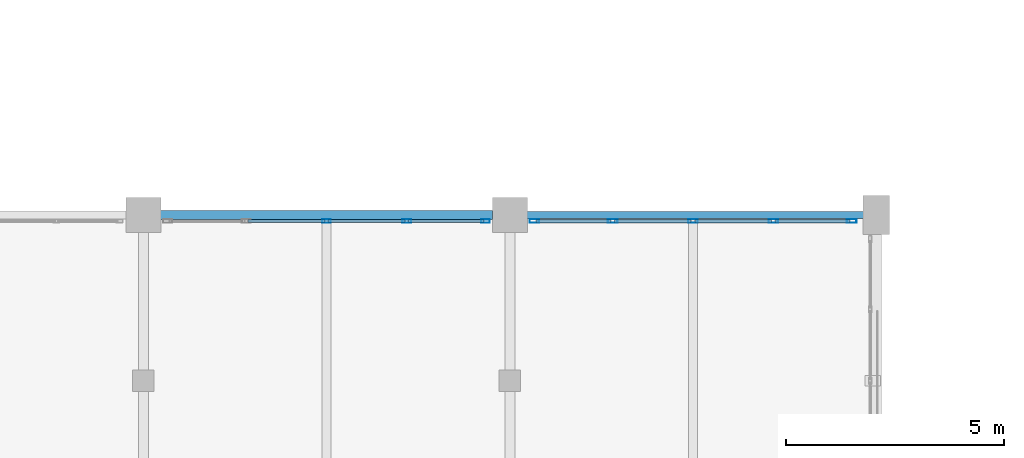
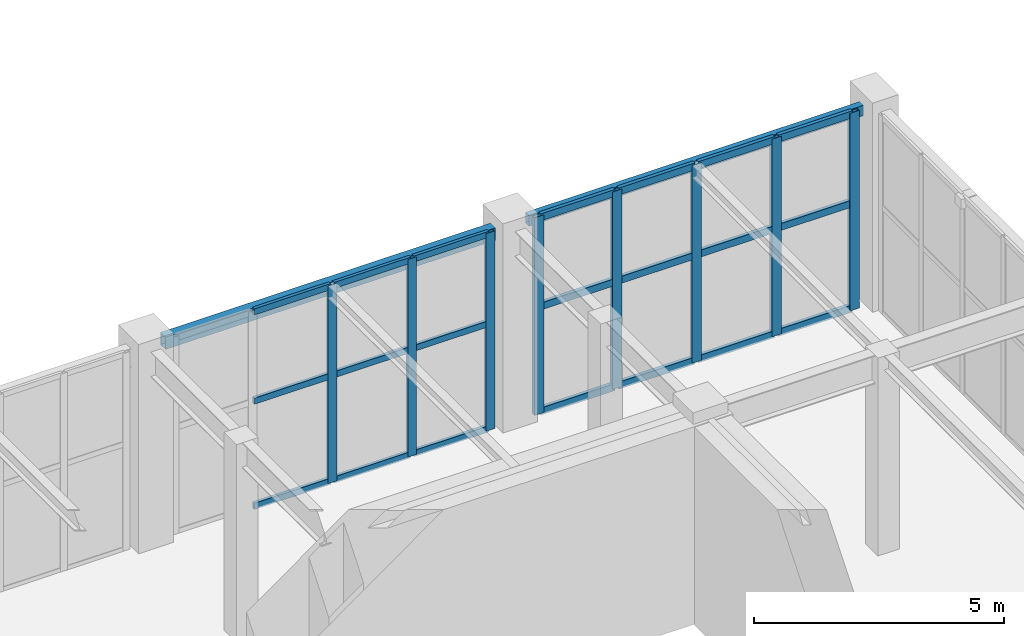
# One storey, part 68 of 128: 29 members, 2 beams, 2 elements without a shape of their own.
"""IFC4 building model written with IfcOpenShell, lengths in metres."""

from ifc_helpers import new_model, si_unit, direction, frame, origin, origin_2d, place, context, subcontext, project, spatial, hollow_rectangle, extrude, material, layer, layer_set, material_profile, profile_set, type_object, element, aggregate, save


model = new_model("IFC4")

# Units and contexts
model_context = context("Model", 3, precision=1e-05, world=origin(), true_north=direction((0.0, 1.0)))
body_context = subcontext(model_context, "Body", "Model", "MODEL_VIEW")
ifc_project = project(units=[si_unit("LENGTHUNIT", "METRE"), si_unit("AREAUNIT", "SQUARE_METRE"), si_unit("VOLUMEUNIT", "CUBIC_METRE"), si_unit("PLANEANGLEUNIT", "RADIAN"), si_unit("MASSUNIT", "GRAM", prefix="KILO")], contexts=[model_context])

# Site, building, storey
site_placement = place(None, origin())
site = spatial("IfcSite", under=ifc_project, at=site_placement, CompositionType="ELEMENT")
building_placement = place(site_placement, origin())
building = spatial("IfcBuilding", under=site, at=building_placement, Name="Xicomal Pleat Aquarium", CompositionType="ELEMENT")
storey_placement = place(building_placement, frame((0.0, 0.0, 5.39990234375)))
storey = spatial("IfcBuildingStorey", under=building, at=storey_placement, Name="L02", CompositionType="ELEMENT", Elevation=5.39990234375)

# Beams
ifc_material_1 = material(Name="Structural steel A500 Gr C", Category="steel")
ifc_material_profile_1 = material_profile(ifc_material_1, hollow_rectangle(XDim=0.14990234375, YDim=0.25, WallThickness=0.010009765625, at=origin_2d()), Name="OR 250x150x10")
ifc_profile_set_1 = profile_set([ifc_material_profile_1], Name="Structural steel A500 Gr C")
beam_type_1 = type_object("IfcBeamType", Name="BM-STL-OR250", PredefinedType="SPANDREL", material=ifc_profile_set_1)
beam_1_placement = place(storey_placement, frame((86.195068359375, 83.60009765625, 4.695068359375), z_axis=(1.0, 0.0, 0.0), x_axis=(0.0, 1.0, 0.0)))
element("IfcBeam", 1, at=beam_1_placement, inside=storey, type_object=beam_type_1, Name="L02 framing beam FGX-L02-11-12-M", PredefinedType="SPANDREL", context=body_context, shape_type="SweptSolid", body=[
    extrude(hollow_rectangle(XDim=0.14990234375, YDim=0.25, WallThickness=0.010009765625, at=origin_2d()), origin(), (0.0, 0.0, 1.0), 7.7099609375),
])
ifc_material_2 = material(Name="Structural steel A500 Gr C", Category="steel")
ifc_material_profile_2 = material_profile(ifc_material_2, hollow_rectangle(XDim=0.199951171875, YDim=0.300048828125, WallThickness=0.011962890625, at=origin_2d()), Name="OR 300x200x12")
ifc_profile_set_2 = profile_set([ifc_material_profile_2], Name="Structural steel A500 Gr C")
beam_type_2 = type_object("IfcBeamType", Name="BM-STL-OR300", PredefinedType="SPANDREL", material=ifc_profile_set_2)
beam_2_placement = place(storey_placement, frame((77.794921875, 83.60009765625, 4.670166015625), z_axis=(1.0, 0.0, 0.0), x_axis=(0.0, 1.0, 0.0)))
element("IfcBeam", 2, at=beam_2_placement, inside=storey, type_object=beam_type_2, Name="L02 framing beam FGX-L02-10-11-M", PredefinedType="SPANDREL", context=body_context, shape_type="SweptSolid", body=[
    extrude(hollow_rectangle(XDim=0.199951171875, YDim=0.300048828125, WallThickness=0.011962890625, at=origin_2d()), origin(), (0.0, 0.0, 1.0), 7.610107421875),
])

# Curtain wall, members
ifc_material_3 = material(Name="Bronze anodized aluminium 6063-T6", Category="aluminium")
ifc_layer_1 = layer(ifc_material_3, 0.159912109375)
ifc_layer_set_1 = layer_set([ifc_layer_1], Name="Bronze anodized aluminium 6063-T6")
curtain_wall_type_1 = type_object("IfcCurtainWallType", Name="CW-SYS-07", PredefinedType="NOTDEFINED", material=ifc_layer_set_1)
curtain_wall_1_placement = place(storey_placement, origin())
curtain_wall_1 = element("IfcCurtainWall", 3, at=curtain_wall_1_placement, inside=storey, type_object=curtain_wall_type_1, Name="L02 unitised curtain wall CW-L02-106", PredefinedType="NOTDEFINED")
ifc_material_4 = material(Name="Bronze anodized aluminium 6063-T6", Category="aluminium")
ifc_material_profile_3 = material_profile(ifc_material_4, hollow_rectangle(XDim=0.074951171875, YDim=0.199951171875, WallThickness=0.00439453125, at=origin_2d()), Name="ALU MULL 75x200")
ifc_profile_set_3 = profile_set([ifc_material_profile_3], Name="Bronze anodized aluminium 6063-T6")
member_type_1 = type_object("IfcMemberType", Name="CWM-75x200", PredefinedType="MULLION", material=ifc_profile_set_3)
member_1_placement = place(storey_placement, frame((81.60009765625, 83.4599609375, 0.0), z_axis=(0.0, 0.0, 1.0), x_axis=(0.0, 1.0, 0.0)))
member_1 = element("IfcMember", 4, at=member_1_placement, type_object=member_type_1, Name="CW-07 mullion 3", PredefinedType="MULLION", context=body_context, shape_type="SweptSolid", body=[
    extrude(hollow_rectangle(XDim=0.074951171875, YDim=0.199951171875, WallThickness=0.00439453125, at=origin_2d()), origin(), (0.0, 0.0, 1.0), 4.820068359375),
])
member_2_placement = place(storey_placement, frame((83.43994140625, 83.4599609375, 0.0), z_axis=(0.0, 0.0, 1.0), x_axis=(0.0, 1.0, 0.0)))
member_2 = element("IfcMember", 5, at=member_2_placement, type_object=member_type_1, Name="CW-07 mullion 4", PredefinedType="MULLION", context=body_context, shape_type="SweptSolid", body=[
    extrude(hollow_rectangle(XDim=0.074951171875, YDim=0.199951171875, WallThickness=0.00439453125, at=origin_2d()), origin(), (0.0, 0.0, 1.0), 4.820068359375),
])
member_3_placement = place(storey_placement, frame((85.242431640625, 83.4599609375, 0.0), z_axis=(0.0, 0.0, 1.0), x_axis=(0.0, 1.0, 0.0)))
member_3 = element("IfcMember", 6, at=member_3_placement, type_object=member_type_1, Name="CW-07 mullion 5", PredefinedType="MULLION", context=body_context, shape_type="SweptSolid", body=[
    extrude(hollow_rectangle(XDim=0.074951171875, YDim=0.199951171875, WallThickness=0.00439453125, at=origin_2d()), origin(), (0.0, 0.0, 1.0), 4.820068359375),
])

ifc_material_5 = material(Name="Bronze anodized aluminium 6063-T6", Category="aluminium")
ifc_layer_2 = layer(ifc_material_5, 0.159912109375)
ifc_layer_set_2 = layer_set([ifc_layer_2], Name="Bronze anodized aluminium 6063-T6")
curtain_wall_type_2 = type_object("IfcCurtainWallType", Name="CW-SYS-12", PredefinedType="NOTDEFINED", material=ifc_layer_set_2)
curtain_wall_2_placement = place(storey_placement, origin())
curtain_wall_2 = element("IfcCurtainWall", 7, at=curtain_wall_2_placement, inside=storey, type_object=curtain_wall_type_2, Name="L02 unitised curtain wall CW-L02-107", PredefinedType="NOTDEFINED")
ifc_material_6 = material(Name="Bronze anodized aluminium 6063-T6", Category="aluminium")
ifc_material_profile_4 = material_profile(ifc_material_6, hollow_rectangle(XDim=0.0849609375, YDim=0.219970703125, WallThickness=0.0048828125, at=origin_2d()), Name="ALU MULL 85x220")
ifc_profile_set_4 = profile_set([ifc_material_profile_4], Name="Bronze anodized aluminium 6063-T6")
member_type_2 = type_object("IfcMemberType", Name="CWM-85x220", PredefinedType="MULLION", material=ifc_profile_set_4)
member_4_placement = place(storey_placement, frame((86.362548828125, 83.4599609375, 0.0), z_axis=(0.0, 0.0, 1.0), x_axis=(0.0, 1.0, 0.0)))
member_4 = element("IfcMember", 8, at=member_4_placement, type_object=member_type_2, Name="CW-12 mullion 1", PredefinedType="MULLION", context=body_context, shape_type="SweptSolid", body=[
    extrude(hollow_rectangle(XDim=0.0849609375, YDim=0.219970703125, WallThickness=0.0048828125, at=origin_2d()), origin(), (0.0, 0.0, 1.0), 4.820068359375),
])
member_5_placement = place(storey_placement, frame((88.159912109375, 83.4599609375, 0.0), z_axis=(0.0, 0.0, 1.0), x_axis=(0.0, 1.0, 0.0)))
member_5 = element("IfcMember", 9, at=member_5_placement, type_object=member_type_2, Name="CW-12 mullion 2", PredefinedType="MULLION", context=body_context, shape_type="SweptSolid", body=[
    extrude(hollow_rectangle(XDim=0.0849609375, YDim=0.219970703125, WallThickness=0.0048828125, at=origin_2d()), origin(), (0.0, 0.0, 1.0), 4.820068359375),
])
member_6_placement = place(storey_placement, frame((90.0, 83.4599609375, 0.0), z_axis=(0.0, 0.0, 1.0), x_axis=(0.0, 1.0, 0.0)))
member_6 = element("IfcMember", 10, at=member_6_placement, type_object=member_type_2, Name="CW-12 mullion 3", PredefinedType="MULLION", context=body_context, shape_type="SweptSolid", body=[
    extrude(hollow_rectangle(XDim=0.0849609375, YDim=0.219970703125, WallThickness=0.0048828125, at=origin_2d()), origin(), (0.0, 0.0, 1.0), 4.820068359375),
])
member_7_placement = place(storey_placement, frame((91.840087890625, 83.4599609375, 0.0), z_axis=(0.0, 0.0, 1.0), x_axis=(0.0, 1.0, 0.0)))
member_7 = element("IfcMember", 11, at=member_7_placement, type_object=member_type_2, Name="CW-12 mullion 4", PredefinedType="MULLION", context=body_context, shape_type="SweptSolid", body=[
    extrude(hollow_rectangle(XDim=0.0849609375, YDim=0.219970703125, WallThickness=0.0048828125, at=origin_2d()), origin(), (0.0, 0.0, 1.0), 4.820068359375),
])
member_8_placement = place(storey_placement, frame((93.637451171875, 83.4599609375, 0.0), z_axis=(0.0, 0.0, 1.0), x_axis=(0.0, 1.0, 0.0)))
member_8 = element("IfcMember", 12, at=member_8_placement, type_object=member_type_2, Name="CW-12 mullion 5", PredefinedType="MULLION", context=body_context, shape_type="SweptSolid", body=[
    extrude(hollow_rectangle(XDim=0.0849609375, YDim=0.219970703125, WallThickness=0.0048828125, at=origin_2d()), origin(), (0.0, 0.0, 1.0), 4.820068359375),
])

# Member
ifc_material_7 = material(Name="Bronze anodized aluminium 6063-T6", Category="aluminium")
ifc_material_profile_5 = material_profile(ifc_material_7, hollow_rectangle(XDim=0.074951171875, YDim=0.14990234375, WallThickness=0.00439453125, at=origin_2d()), Name="ALU TRAN 75x150")
ifc_profile_set_5 = profile_set([ifc_material_profile_5], Name="Bronze anodized aluminium 6063-T6")
member_type_3 = type_object("IfcMemberType", Name="CWT-75x150", PredefinedType="USERDEFINED", material=ifc_profile_set_5)
member_9_placement = place(storey_placement, frame((79.797607421875, 83.4599609375, 0.03759765625), z_axis=(1.0, 0.0, 0.0), x_axis=(0.0, 1.0, 0.0)))
member_9 = element("IfcMember", 13, at=member_9_placement, type_object=member_type_3, Name="CW-07 transom 2.1", ObjectType="TRANSOM", PredefinedType="USERDEFINED", context=body_context, shape_type="SweptSolid", body=[
    extrude(hollow_rectangle(XDim=0.074951171875, YDim=0.14990234375, WallThickness=0.00439453125, at=origin_2d()), origin(), (0.0, 0.0, 1.0), 1.764892578125),
])

member_10_placement = place(storey_placement, frame((79.797607421875, 83.4599609375, 2.60302734375), z_axis=(1.0, 0.0, 0.0), x_axis=(0.0, 1.0, 0.0)))
member_10 = element("IfcMember", 14, at=member_10_placement, type_object=member_type_3, Name="CW-07 transom 2.2", ObjectType="TRANSOM", PredefinedType="USERDEFINED", context=body_context, shape_type="SweptSolid", body=[
    extrude(hollow_rectangle(XDim=0.074951171875, YDim=0.14990234375, WallThickness=0.00439453125, at=origin_2d()), origin(), (0.0, 0.0, 1.0), 1.764892578125),
])

member_11_placement = place(storey_placement, frame((79.797607421875, 83.4599609375, 4.78271484375), z_axis=(1.0, 0.0, 0.0), x_axis=(0.0, 1.0, 0.0)))
member_11 = element("IfcMember", 15, at=member_11_placement, type_object=member_type_3, Name="CW-07 transom 2.3", ObjectType="TRANSOM", PredefinedType="USERDEFINED", context=body_context, shape_type="SweptSolid", body=[
    extrude(hollow_rectangle(XDim=0.074951171875, YDim=0.14990234375, WallThickness=0.00439453125, at=origin_2d()), origin(), (0.0, 0.0, 1.0), 1.764892578125),
])

member_12_placement = place(storey_placement, frame((81.637451171875, 83.4599609375, 0.03759765625), z_axis=(1.0, 0.0, 0.0), x_axis=(0.0, 1.0, 0.0)))
member_12 = element("IfcMember", 16, at=member_12_placement, type_object=member_type_3, Name="CW-07 transom 3.1", ObjectType="TRANSOM", PredefinedType="USERDEFINED", context=body_context, shape_type="SweptSolid", body=[
    extrude(hollow_rectangle(XDim=0.074951171875, YDim=0.14990234375, WallThickness=0.00439453125, at=origin_2d()), origin(), (0.0, 0.0, 1.0), 1.76513671875),
])

member_13_placement = place(storey_placement, frame((81.637451171875, 83.4599609375, 2.60302734375), z_axis=(1.0, 0.0, 0.0), x_axis=(0.0, 1.0, 0.0)))
member_13 = element("IfcMember", 17, at=member_13_placement, type_object=member_type_3, Name="CW-07 transom 3.2", ObjectType="TRANSOM", PredefinedType="USERDEFINED", context=body_context, shape_type="SweptSolid", body=[
    extrude(hollow_rectangle(XDim=0.074951171875, YDim=0.14990234375, WallThickness=0.00439453125, at=origin_2d()), origin(), (0.0, 0.0, 1.0), 1.76513671875),
])

member_14_placement = place(storey_placement, frame((81.637451171875, 83.4599609375, 4.78271484375), z_axis=(1.0, 0.0, 0.0), x_axis=(0.0, 1.0, 0.0)))
member_14 = element("IfcMember", 18, at=member_14_placement, type_object=member_type_3, Name="CW-07 transom 3.3", ObjectType="TRANSOM", PredefinedType="USERDEFINED", context=body_context, shape_type="SweptSolid", body=[
    extrude(hollow_rectangle(XDim=0.074951171875, YDim=0.14990234375, WallThickness=0.00439453125, at=origin_2d()), origin(), (0.0, 0.0, 1.0), 1.76513671875),
])

member_15_placement = place(storey_placement, frame((83.4775390625, 83.4599609375, 0.03759765625), z_axis=(1.0, 0.0, 0.0), x_axis=(0.0, 1.0, 0.0)))
member_15 = element("IfcMember", 19, at=member_15_placement, type_object=member_type_3, Name="CW-07 transom 4.1", ObjectType="TRANSOM", PredefinedType="USERDEFINED", context=body_context, shape_type="SweptSolid", body=[
    extrude(hollow_rectangle(XDim=0.074951171875, YDim=0.14990234375, WallThickness=0.00439453125, at=origin_2d()), origin(), (0.0, 0.0, 1.0), 1.7275390625),
])

member_16_placement = place(storey_placement, frame((83.4775390625, 83.4599609375, 2.60302734375), z_axis=(1.0, 0.0, 0.0), x_axis=(0.0, 1.0, 0.0)))
member_16 = element("IfcMember", 20, at=member_16_placement, type_object=member_type_3, Name="CW-07 transom 4.2", ObjectType="TRANSOM", PredefinedType="USERDEFINED", context=body_context, shape_type="SweptSolid", body=[
    extrude(hollow_rectangle(XDim=0.074951171875, YDim=0.14990234375, WallThickness=0.00439453125, at=origin_2d()), origin(), (0.0, 0.0, 1.0), 1.7275390625),
])

member_17_placement = place(storey_placement, frame((83.4775390625, 83.4599609375, 4.78271484375), z_axis=(1.0, 0.0, 0.0), x_axis=(0.0, 1.0, 0.0)))
member_17 = element("IfcMember", 21, at=member_17_placement, type_object=member_type_3, Name="CW-07 transom 4.3", ObjectType="TRANSOM", PredefinedType="USERDEFINED", context=body_context, shape_type="SweptSolid", body=[
    extrude(hollow_rectangle(XDim=0.074951171875, YDim=0.14990234375, WallThickness=0.00439453125, at=origin_2d()), origin(), (0.0, 0.0, 1.0), 1.7275390625),
])

aggregate(curtain_wall_1, [member_1, member_2, member_3, member_9, member_10, member_11, member_12, member_13, member_14, member_15, member_16, member_17])

ifc_material_8 = material(Name="Bronze anodized aluminium 6063-T6", Category="aluminium")
ifc_material_profile_6 = material_profile(ifc_material_8, hollow_rectangle(XDim=0.0849609375, YDim=0.169921875, WallThickness=0.0048828125, at=origin_2d()), Name="ALU TRAN 85x170")
ifc_profile_set_6 = profile_set([ifc_material_profile_6], Name="Bronze anodized aluminium 6063-T6")
member_type_4 = type_object("IfcMemberType", Name="CWT-85x170", PredefinedType="USERDEFINED", material=ifc_profile_set_6)
member_18_placement = place(storey_placement, frame((86.405029296875, 83.4599609375, 0.04248046875), z_axis=(1.0, 0.0, 0.0), x_axis=(0.0, 1.0, 0.0)))
member_18 = element("IfcMember", 22, at=member_18_placement, type_object=member_type_4, Name="CW-12 transom 1.1", ObjectType="TRANSOM", PredefinedType="USERDEFINED", context=body_context, shape_type="SweptSolid", body=[
    extrude(hollow_rectangle(XDim=0.0849609375, YDim=0.169921875, WallThickness=0.0048828125, at=origin_2d()), origin(), (0.0, 0.0, 1.0), 1.71240234375),
])

member_19_placement = place(storey_placement, frame((86.405029296875, 83.4599609375, 2.60302734375), z_axis=(1.0, 0.0, 0.0), x_axis=(0.0, 1.0, 0.0)))
member_19 = element("IfcMember", 23, at=member_19_placement, type_object=member_type_4, Name="CW-12 transom 1.2", ObjectType="TRANSOM", PredefinedType="USERDEFINED", context=body_context, shape_type="SweptSolid", body=[
    extrude(hollow_rectangle(XDim=0.0849609375, YDim=0.169921875, WallThickness=0.0048828125, at=origin_2d()), origin(), (0.0, 0.0, 1.0), 1.71240234375),
])

member_20_placement = place(storey_placement, frame((86.405029296875, 83.4599609375, 4.777587890625), z_axis=(1.0, 0.0, 0.0), x_axis=(0.0, 1.0, 0.0)))
member_20 = element("IfcMember", 24, at=member_20_placement, type_object=member_type_4, Name="CW-12 transom 1.3", ObjectType="TRANSOM", PredefinedType="USERDEFINED", context=body_context, shape_type="SweptSolid", body=[
    extrude(hollow_rectangle(XDim=0.0849609375, YDim=0.169921875, WallThickness=0.0048828125, at=origin_2d()), origin(), (0.0, 0.0, 1.0), 1.71240234375),
])

member_21_placement = place(storey_placement, frame((88.202392578125, 83.4599609375, 0.04248046875), z_axis=(1.0, 0.0, 0.0), x_axis=(0.0, 1.0, 0.0)))
member_21 = element("IfcMember", 25, at=member_21_placement, type_object=member_type_4, Name="CW-12 transom 2.1", ObjectType="TRANSOM", PredefinedType="USERDEFINED", context=body_context, shape_type="SweptSolid", body=[
    extrude(hollow_rectangle(XDim=0.0849609375, YDim=0.169921875, WallThickness=0.0048828125, at=origin_2d()), origin(), (0.0, 0.0, 1.0), 1.755126953125),
])

member_22_placement = place(storey_placement, frame((88.202392578125, 83.4599609375, 2.60302734375), z_axis=(1.0, 0.0, 0.0), x_axis=(0.0, 1.0, 0.0)))
member_22 = element("IfcMember", 26, at=member_22_placement, type_object=member_type_4, Name="CW-12 transom 2.2", ObjectType="TRANSOM", PredefinedType="USERDEFINED", context=body_context, shape_type="SweptSolid", body=[
    extrude(hollow_rectangle(XDim=0.0849609375, YDim=0.169921875, WallThickness=0.0048828125, at=origin_2d()), origin(), (0.0, 0.0, 1.0), 1.755126953125),
])

member_23_placement = place(storey_placement, frame((88.202392578125, 83.4599609375, 4.777587890625), z_axis=(1.0, 0.0, 0.0), x_axis=(0.0, 1.0, 0.0)))
member_23 = element("IfcMember", 27, at=member_23_placement, type_object=member_type_4, Name="CW-12 transom 2.3", ObjectType="TRANSOM", PredefinedType="USERDEFINED", context=body_context, shape_type="SweptSolid", body=[
    extrude(hollow_rectangle(XDim=0.0849609375, YDim=0.169921875, WallThickness=0.0048828125, at=origin_2d()), origin(), (0.0, 0.0, 1.0), 1.755126953125),
])

member_24_placement = place(storey_placement, frame((90.04248046875, 83.4599609375, 0.04248046875), z_axis=(1.0, 0.0, 0.0), x_axis=(0.0, 1.0, 0.0)))
member_24 = element("IfcMember", 28, at=member_24_placement, type_object=member_type_4, Name="CW-12 transom 3.1", ObjectType="TRANSOM", PredefinedType="USERDEFINED", context=body_context, shape_type="SweptSolid", body=[
    extrude(hollow_rectangle(XDim=0.0849609375, YDim=0.169921875, WallThickness=0.0048828125, at=origin_2d()), origin(), (0.0, 0.0, 1.0), 1.755126953125),
])

member_25_placement = place(storey_placement, frame((90.04248046875, 83.4599609375, 2.60302734375), z_axis=(1.0, 0.0, 0.0), x_axis=(0.0, 1.0, 0.0)))
member_25 = element("IfcMember", 29, at=member_25_placement, type_object=member_type_4, Name="CW-12 transom 3.2", ObjectType="TRANSOM", PredefinedType="USERDEFINED", context=body_context, shape_type="SweptSolid", body=[
    extrude(hollow_rectangle(XDim=0.0849609375, YDim=0.169921875, WallThickness=0.0048828125, at=origin_2d()), origin(), (0.0, 0.0, 1.0), 1.755126953125),
])

member_26_placement = place(storey_placement, frame((90.04248046875, 83.4599609375, 4.777587890625), z_axis=(1.0, 0.0, 0.0), x_axis=(0.0, 1.0, 0.0)))
member_26 = element("IfcMember", 30, at=member_26_placement, type_object=member_type_4, Name="CW-12 transom 3.3", ObjectType="TRANSOM", PredefinedType="USERDEFINED", context=body_context, shape_type="SweptSolid", body=[
    extrude(hollow_rectangle(XDim=0.0849609375, YDim=0.169921875, WallThickness=0.0048828125, at=origin_2d()), origin(), (0.0, 0.0, 1.0), 1.755126953125),
])

member_27_placement = place(storey_placement, frame((91.882568359375, 83.4599609375, 0.04248046875), z_axis=(1.0, 0.0, 0.0), x_axis=(0.0, 1.0, 0.0)))
member_27 = element("IfcMember", 31, at=member_27_placement, type_object=member_type_4, Name="CW-12 transom 4.1", ObjectType="TRANSOM", PredefinedType="USERDEFINED", context=body_context, shape_type="SweptSolid", body=[
    extrude(hollow_rectangle(XDim=0.0849609375, YDim=0.169921875, WallThickness=0.0048828125, at=origin_2d()), origin(), (0.0, 0.0, 1.0), 1.71240234375),
])

member_28_placement = place(storey_placement, frame((91.882568359375, 83.4599609375, 2.60302734375), z_axis=(1.0, 0.0, 0.0), x_axis=(0.0, 1.0, 0.0)))
member_28 = element("IfcMember", 32, at=member_28_placement, type_object=member_type_4, Name="CW-12 transom 4.2", ObjectType="TRANSOM", PredefinedType="USERDEFINED", context=body_context, shape_type="SweptSolid", body=[
    extrude(hollow_rectangle(XDim=0.0849609375, YDim=0.169921875, WallThickness=0.0048828125, at=origin_2d()), origin(), (0.0, 0.0, 1.0), 1.71240234375),
])

member_29_placement = place(storey_placement, frame((91.882568359375, 83.4599609375, 4.777587890625), z_axis=(1.0, 0.0, 0.0), x_axis=(0.0, 1.0, 0.0)))
member_29 = element("IfcMember", 33, at=member_29_placement, type_object=member_type_4, Name="CW-12 transom 4.3", ObjectType="TRANSOM", PredefinedType="USERDEFINED", context=body_context, shape_type="SweptSolid", body=[
    extrude(hollow_rectangle(XDim=0.0849609375, YDim=0.169921875, WallThickness=0.0048828125, at=origin_2d()), origin(), (0.0, 0.0, 1.0), 1.71240234375),
])

aggregate(curtain_wall_2, [member_4, member_5, member_6, member_7, member_8, member_18, member_19, member_20, member_21, member_22, member_23, member_24, member_25, member_26, member_27, member_28, member_29])

save(model, "model.ifc")
